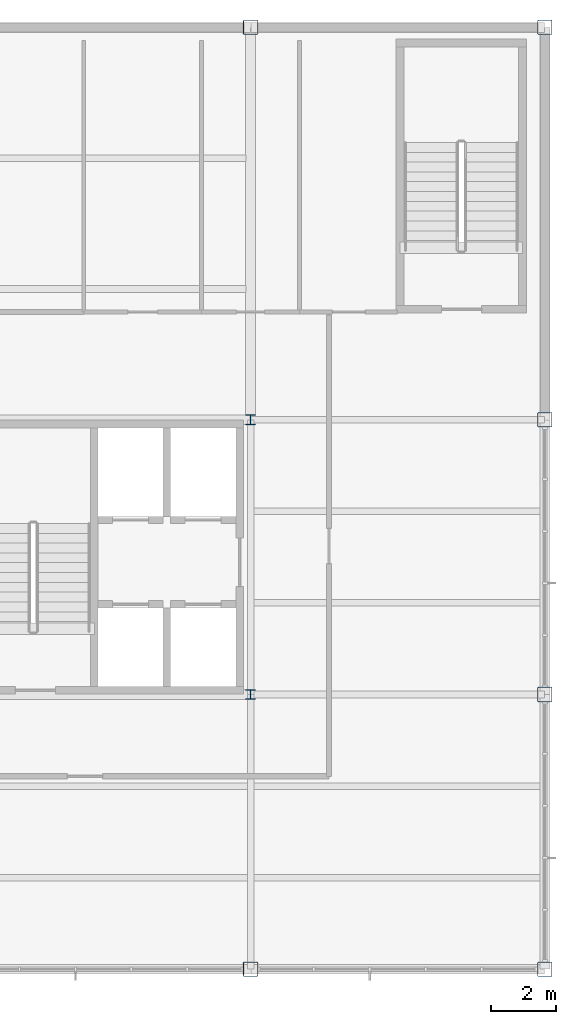
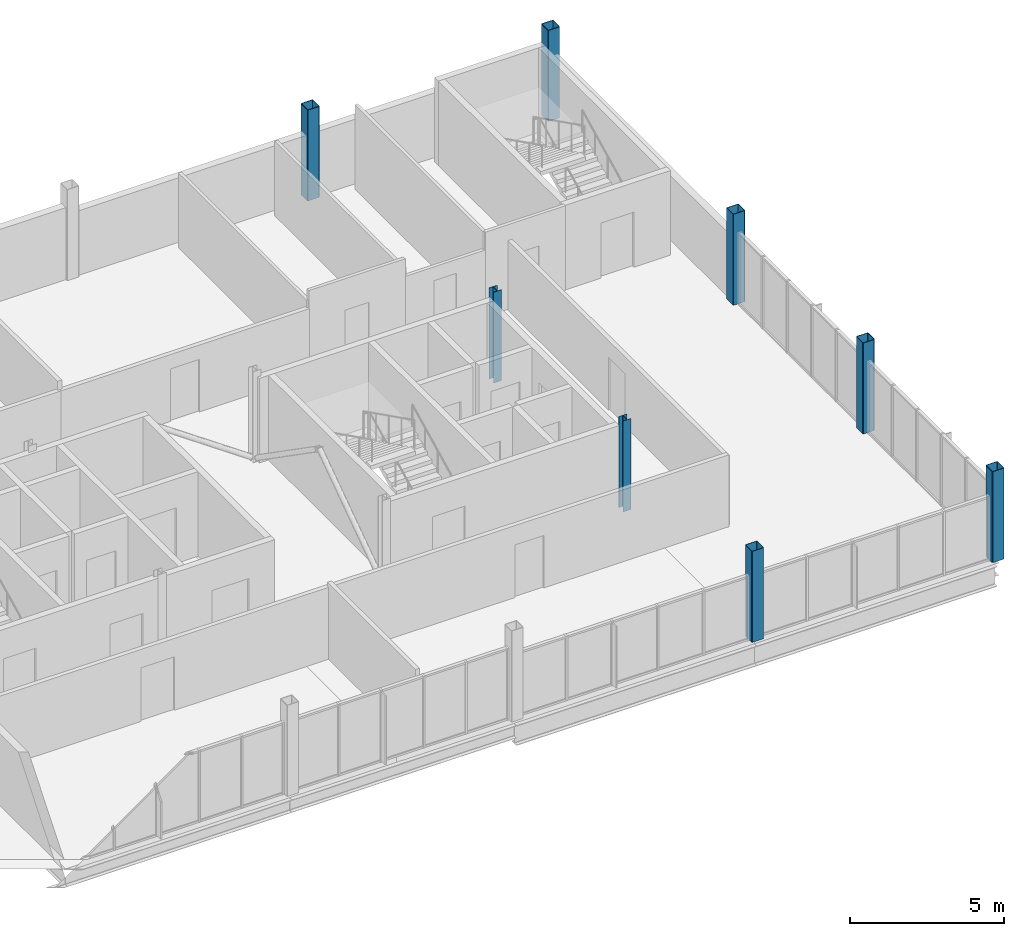
# One storey, part 2 of 14: 8 columns.
"""IFC4 building model written with IfcOpenShell, lengths in metres."""

from ifc_helpers import new_model, si_unit, direction, frame, origin, origin_2d, place, context, subcontext, project, spatial, hollow_rectangle, i_section, extrude, material, material_profile, profile_set, type_object, element, save


model = new_model("IFC4")

# Units and contexts
model_context = context("Model", 3, precision=1e-05, world=origin(), true_north=direction((0.0, 1.0)))
body_context = subcontext(model_context, "Body", "Model", "MODEL_VIEW")
ifc_project = project(units=[si_unit("LENGTHUNIT", "METRE"), si_unit("AREAUNIT", "SQUARE_METRE"), si_unit("VOLUMEUNIT", "CUBIC_METRE"), si_unit("PLANEANGLEUNIT", "RADIAN"), si_unit("MASSUNIT", "GRAM", prefix="KILO")], contexts=[model_context])

# Site, building, storey
site_placement = place(None, origin())
site = spatial("IfcSite", under=ifc_project, at=site_placement, CompositionType="ELEMENT")
building_placement = place(site_placement, origin())
building = spatial("IfcBuilding", under=site, at=building_placement, Name="Yukiwa Park Conservatory and Herbarium", CompositionType="ELEMENT")
storey_placement = place(building_placement, frame((0.0, 0.0, 50.39990234375)))
storey = spatial("IfcBuildingStorey", under=building, at=storey_placement, Name="L13", CompositionType="ELEMENT", Elevation=50.39990234375)

# Columns
ifc_material_1 = material(Name="Steel Q355D", Category="steel")
ifc_material_profile_1 = material_profile(ifc_material_1, hollow_rectangle(XDim=0.449951171875, YDim=0.449951171875, WallThickness=0.01806640625, InnerFilletRadius=0.01806640625, OuterFilletRadius=0.035888671875, at=origin_2d()), Name="BOX 450x450x18")
ifc_profile_set_1 = profile_set([ifc_material_profile_1], Name="Steel Q355D")
column_type_1 = type_object("IfcColumnType", Name="COL-TW-BOX450-EXT", PredefinedType="COLUMN", material=ifc_profile_set_1)
for number, where, z_axis, x_axis, name in (
    (1, (159.0, 86.39990234375, 0.0), (0.0, 0.0, 1.0), (1.0, 0.0, 0.0), "L13 column V5-X1590-Y864"),
    (2, (159.0, 115.199951171875, 0.0), (0.0, 0.0, 1.0), (1.0, 0.0, 0.0), "L13 column V5-X1590-Y1152"),
    (3, (168.0, 86.39990234375, 0.0), (0.0, 0.0, 1.0), (1.0, 0.0, 0.0), "L13 column V5-X1680-Y864"),
    (4, (168.0, 94.800048828125, 0.0), (0.0, 0.0, 1.0), (1.0, 0.0, 0.0), "L13 column V5-X1680-Y948"),
    (5, (168.0, 103.199951171875, 0.0), (0.0, 0.0, 1.0), (1.0, 0.0, 0.0), "L13 column V5-X1680-Y1032"),
    (6, (168.0, 115.199951171875, 0.0), (0.0, 0.0, 1.0), (1.0, 0.0, 0.0), "L13 column V5-X1680-Y1152"),
):
    element("IfcColumn", number, at=place(storey_placement, frame(where, z_axis=z_axis, x_axis=x_axis)), inside=storey, type_object=column_type_1, Name=name, PredefinedType="COLUMN", context=body_context, shape_type="SweptSolid", body=[
        extrude(hollow_rectangle(XDim=0.449951171875, YDim=0.449951171875, WallThickness=0.01806640625, InnerFilletRadius=0.01806640625, OuterFilletRadius=0.035888671875, at=origin_2d()), origin(), (0.0, 0.0, 1.0), 3.60009765625),
    ])
ifc_material_2 = material(Name="Steel Q355D", Category="steel")
ifc_material_profile_2 = material_profile(ifc_material_2, i_section(OverallWidth=0.302001953125, OverallDepth=0.2939453125, WebThickness=0.011962890625, FlangeThickness=0.011962890625, FilletRadius=0.01806640625, at=origin_2d()), Name="HW 294x302x12x12")
ifc_profile_set_2 = profile_set([ifc_material_profile_2], Name="Steel Q355D")
column_type_2 = type_object("IfcColumnType", Name="COL-TW-HW294", PredefinedType="COLUMN", material=ifc_profile_set_2)
for number, where, z_axis, x_axis, name in (
    (7, (159.0, 94.800048828125, 0.0), (0.0, 0.0, 1.0), (1.0, 0.0, 0.0), "L13 column V5-X1590-Y948"),
    (8, (159.0, 103.199951171875, 0.0), (0.0, 0.0, 1.0), (1.0, 0.0, 0.0), "L13 column V5-X1590-Y1032"),
):
    element("IfcColumn", number, at=place(storey_placement, frame(where, z_axis=z_axis, x_axis=x_axis)), inside=storey, type_object=column_type_2, Name=name, PredefinedType="COLUMN", context=body_context, shape_type="SweptSolid", body=[
        extrude(i_section(OverallWidth=0.302001953125, OverallDepth=0.2939453125, WebThickness=0.011962890625, FlangeThickness=0.011962890625, FilletRadius=0.01806640625, at=origin_2d()), origin(), (0.0, 0.0, 1.0), 3.60009765625),
    ])

save(model, "model.ifc")
